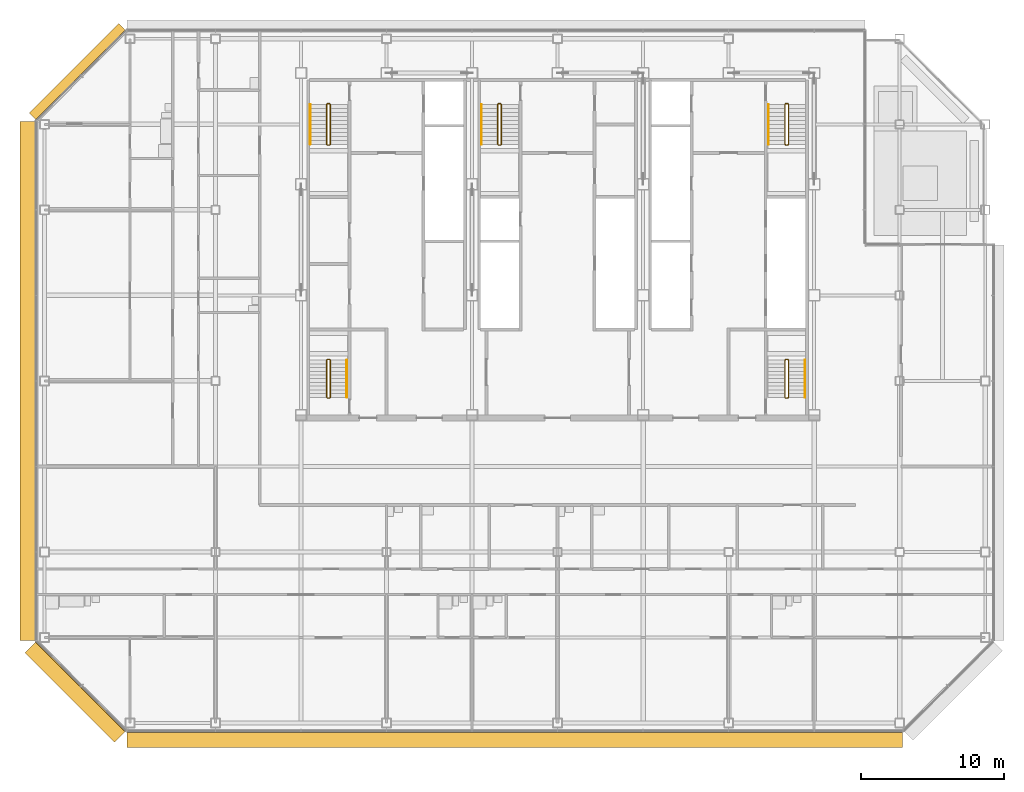
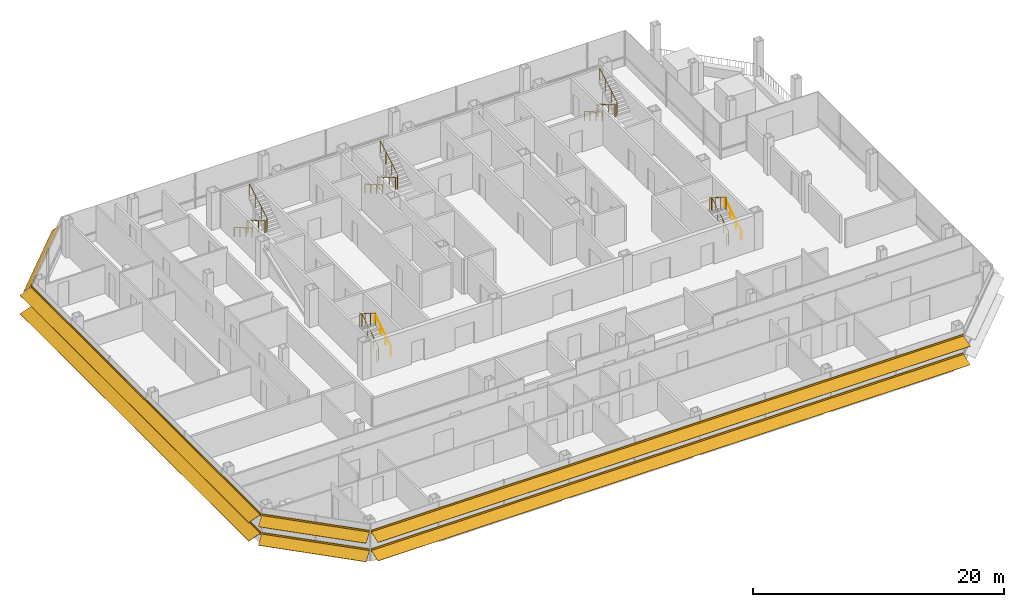
# One storey, part 26 of 29: 10 railings, 4 shading devices.
"""IFC4 building model written with IfcOpenShell, lengths in metres."""

from ifc_helpers import new_model, si_unit, direction, frame, origin, origin_2d, place, context, subcontext, project, spatial, polyline, circle, outline, composite_profile, extrude, material, type_object, element, save


model = new_model("IFC4")

# Units and contexts
model_context = context("Model", 3, precision=1e-05, world=origin(), true_north=direction((0.0, 1.0)))
body_context = subcontext(model_context, "Body", "Model", "MODEL_VIEW")
ifc_project = project(units=[si_unit("LENGTHUNIT", "METRE"), si_unit("AREAUNIT", "SQUARE_METRE"), si_unit("VOLUMEUNIT", "CUBIC_METRE"), si_unit("PLANEANGLEUNIT", "RADIAN"), si_unit("MASSUNIT", "GRAM", prefix="KILO")], contexts=[model_context])

# Site, building, storey
site_placement = place(None, origin())
site = spatial("IfcSite", under=ifc_project, at=site_placement, CompositionType="ELEMENT")
building_placement = place(site_placement, origin())
building = spatial("IfcBuilding", under=site, at=building_placement, Name="Sorahane Residences", CompositionType="ELEMENT")
storey_placement = place(building_placement, frame((0.0, 0.0, 199.199951171875)))
storey = spatial("IfcBuildingStorey", under=building, at=storey_placement, Name="L46", CompositionType="ELEMENT", Elevation=199.199951171875)

# Shading devices
ifc_material_1 = material(Name="Terracotta anodised aluminium", Category="masonry")
shading_device_type_1 = type_object("IfcShadingDeviceType", Name="Louvre sunshade blade NW terracotta aluminium 700", PredefinedType="JALOUSIE", material=ifc_material_1)
shading_device_1_placement = place(storey_placement, frame((-6.283935546875, 48.564697265625, 2.699951171875), z_axis=(-0.707106781187, -0.707106781187, 0.0), x_axis=(0.707106781187, -0.707106781187, 0.0)))
element("IfcShadingDevice", 1, at=shading_device_1_placement, inside=storey, type_object=shading_device_type_1, Name="Louvre sunshade blade bank NW L46 NW1", PredefinedType="JALOUSIE", context=body_context, shape_type="SweptSolid", body=[
    extrude(outline(polyline([(-0.719970703125, -0.660888671875), (-0.719970703125, -0.69091796875), (-0.080078125, -0.072998046875), (-0.080078125, -0.14990234375), (-0.02001953125, -0.14990234375), (-0.02001953125, -0.014892578125), (-0.02001953125, 0.014892578125), (-0.02001953125, 0.14990234375), (-0.080078125, 0.14990234375), (-0.080078125, -0.04296875), (-0.719970703125, -0.660888671875)])), origin(), (0.0, 0.0, 1.0), 8.88232421875),
])
ifc_material_2 = material(Name="Terracotta anodised aluminium", Category="masonry")
shading_device_type_2 = type_object("IfcShadingDeviceType", Name="Louvre sunshade blade S terracotta aluminium 1100", PredefinedType="JALOUSIE", material=ifc_material_2)
shading_device_2_placement = place(storey_placement, frame((-6.198486328125, -0.60009765625, 0.900146484375), z_axis=(1.0, 0.0, 0.0), x_axis=(0.0, 1.0, 0.0)))
element("IfcShadingDevice", 2, at=shading_device_2_placement, inside=storey, type_object=shading_device_type_2, Name="Louvre sunshade blade bank S L46 S1", PredefinedType="JALOUSIE", context=body_context, shape_type="SweptSolid", body=[
    extrude(composite_profile([outline(polyline([(-1.1201171875, -0.385498046875), (-1.1201171875, -0.415283203125), (-0.080078125, -0.036865234375), (-0.080078125, -0.14990234375), (-0.02001953125, -0.14990234375), (-0.02001953125, -0.014892578125), (-0.02001953125, 0.014892578125), (-0.02001953125, 0.14990234375), (-0.080078125, 0.14990234375), (-0.080078125, -0.0068359375), (-1.1201171875, -0.385498046875)])), outline(polyline([(-1.1201171875, 1.41455078125), (-1.1201171875, 1.384521484375), (-0.080078125, 1.76318359375), (-0.080078125, 1.64990234375), (-0.02001953125, 1.64990234375), (-0.02001953125, 1.784912109375), (-0.02001953125, 1.81494140625), (-0.02001953125, 1.949951171875), (-0.080078125, 1.949951171875), (-0.080078125, 1.793212890625), (-1.1201171875, 1.41455078125)]))]), origin(), (0.0, 0.0, 1.0), 54.39697265625),
])
ifc_material_3 = material(Name="Terracotta anodised aluminium", Category="masonry")
shading_device_type_3 = type_object("IfcShadingDeviceType", Name="Louvre sunshade blade SW terracotta aluminium 1100", PredefinedType="JALOUSIE", material=ifc_material_3)
shading_device_3_placement = place(storey_placement, frame((-12.564697265625, 5.716064453125, 0.900146484375), z_axis=(0.707106781187, -0.707106781187, 0.0), x_axis=(0.707106781187, 0.707106781187, 0.0)))
element("IfcShadingDevice", 3, at=shading_device_3_placement, inside=storey, type_object=shading_device_type_3, Name="Louvre sunshade blade bank SW L46 SW1", PredefinedType="JALOUSIE", context=body_context, shape_type="SweptSolid", body=[
    extrude(composite_profile([outline(polyline([(-1.1201171875, -0.385498046875), (-1.1201171875, -0.415283203125), (-0.080078125, -0.036865234375), (-0.080078125, -0.14990234375), (-0.02001953125, -0.14990234375), (-0.02001953125, -0.014892578125), (-0.02001953125, 0.014892578125), (-0.02001953125, 0.14990234375), (-0.080078125, 0.14990234375), (-0.080078125, -0.0068359375), (-1.1201171875, -0.385498046875)])), outline(polyline([(-1.1201171875, 1.41455078125), (-1.1201171875, 1.384521484375), (-0.080078125, 1.76318359375), (-0.080078125, 1.64990234375), (-0.02001953125, 1.64990234375), (-0.02001953125, 1.784912109375), (-0.02001953125, 1.81494140625), (-0.02001953125, 1.949951171875), (-0.080078125, 1.949951171875), (-0.080078125, 1.793212890625), (-1.1201171875, 1.41455078125)]))]), origin(), (0.0, 0.0, 1.0), 8.88232421875),
])
ifc_material_4 = material(Name="Terracotta anodised aluminium", Category="masonry")
shading_device_type_4 = type_object("IfcShadingDeviceType", Name="Louvre sunshade blade W terracotta aluminium 1100", PredefinedType="JALOUSIE", material=ifc_material_4)
shading_device_4_placement = place(storey_placement, frame((-12.60009765625, 42.198486328125, 0.900146484375), z_axis=(0.0, -1.0, 0.0), x_axis=(1.0, 0.0, 0.0)))
element("IfcShadingDevice", 4, at=shading_device_4_placement, inside=storey, type_object=shading_device_type_4, Name="Louvre sunshade blade bank W L46 W1", PredefinedType="JALOUSIE", context=body_context, shape_type="SweptSolid", body=[
    extrude(composite_profile([outline(polyline([(-1.1201171875, -0.385498046875), (-1.1201171875, -0.415283203125), (-0.080078125, -0.036865234375), (-0.080078125, -0.14990234375), (-0.02001953125, -0.14990234375), (-0.02001953125, -0.014892578125), (-0.02001953125, 0.014892578125), (-0.02001953125, 0.14990234375), (-0.080078125, 0.14990234375), (-0.080078125, -0.0068359375), (-1.1201171875, -0.385498046875)])), outline(polyline([(-1.1201171875, 1.41455078125), (-1.1201171875, 1.384521484375), (-0.080078125, 1.76318359375), (-0.080078125, 1.64990234375), (-0.02001953125, 1.64990234375), (-0.02001953125, 1.784912109375), (-0.02001953125, 1.81494140625), (-0.02001953125, 1.949951171875), (-0.080078125, 1.949951171875), (-0.080078125, 1.793212890625), (-1.1201171875, 1.41455078125)]))]), origin(), (0.0, 0.0, 1.0), 36.39697265625),
])

# Railings
ifc_material_5 = material(Name="Steel Q355B", Category="steel")
railing_type_1 = type_object("IfcRailingType", Name="Stair guard 1200 Steel Q355B", PredefinedType="GUARDRAIL", material=ifc_material_5)
railing_1_placement = place(storey_placement, frame((8.0, 43.449951171875, 0.0)))
element("IfcRailing", 5, at=railing_1_placement, inside=storey, type_object=railing_type_1, Name="L46 S1 stair guard 1", PredefinedType="GUARDRAIL", context=body_context, shape_type="SweptSolid", body=[
    extrude(circle(Radius=0.02392578125, at=origin_2d()), frame((0.0, 0.0, 1.17578125), z_axis=(-1.0, 0.0, 0.0), x_axis=(0.0, -1.0, 0.0)), (0.0, 0.0, 1.0), 0.14990234375),
    extrude(circle(Radius=0.02392578125, at=origin_2d()), frame((-0.14990234375, 0.0, 1.17578125), z_axis=(-0.280808744504, -0.280808744504, 0.917765164963), x_axis=(0.707106781187, -0.707106781187, 0.0)), (0.0, 0.0, 1.0), 0.17822265625),
    extrude(circle(Radius=0.02392578125, at=origin_2d()), frame((-0.199951171875, -0.050048828125, 1.33935546875), z_axis=(0.0, -0.863341702679, 0.504619762213), x_axis=(1.0, 0.0, 0.0)), (0.0, 0.0, 1.0), 3.242919921875),
    extrude(circle(Radius=0.02392578125, at=origin_2d()), frame((-0.199951171875, -2.849853515625, 2.97607421875), z_axis=(0.707106781187, -0.707106781187, 0.0), x_axis=(0.707106781187, 0.707106781187, 0.0)), (0.0, 0.0, 1.0), 0.07080078125),
    extrude(circle(Radius=0.02392578125, at=origin_2d()), frame((-0.14990234375, -2.89990234375, 2.97607421875), z_axis=(1.0, 0.0, 0.0), x_axis=(0.0, 1.0, 0.0)), (0.0, 0.0, 1.0), 0.14990234375),
    extrude(circle(Radius=0.02392578125, at=origin_2d()), frame((0.0, -2.89990234375, 2.97607421875), z_axis=(0.280808744504, 0.280808744504, 0.917765164963), x_axis=(-0.707106781187, 0.707106781187, 0.0)), (0.0, 0.0, 1.0), 0.17822265625),
    extrude(circle(Radius=0.02392578125, at=origin_2d()), frame((0.050048828125, -2.849853515625, 3.1396484375), z_axis=(0.0, 0.863341702679, 0.504619762213), x_axis=(-1.0, 0.0, 0.0)), (0.0, 0.0, 1.0), 3.242919921875),
    extrude(circle(Radius=0.02099609375, at=origin_2d()), origin(), (0.0, 0.0, 1.0), 1.15185546875),
    extrude(circle(Radius=0.02099609375, at=origin_2d()), frame((-0.14990234375, 0.0, 0.0)), (0.0, 0.0, 1.0), 1.15185546875),
    extrude(circle(Radius=0.02099609375, at=origin_2d()), frame((-0.199951171875, -0.050048828125, 0.16357421875)), (0.0, 0.0, 1.0), 1.15185546875),
    extrude(circle(Radius=0.02099609375, at=origin_2d()), frame((-0.199951171875, -0.9833984375, 0.708984375)), (0.0, 0.0, 1.0), 1.15185546875),
    extrude(circle(Radius=0.02099609375, at=origin_2d()), frame((-0.199951171875, -1.91650390625, 1.254638671875)), (0.0, 0.0, 1.0), 1.15185546875),
    extrude(circle(Radius=0.02099609375, at=origin_2d()), frame((-0.199951171875, -2.849853515625, 1.800048828125)), (0.0, 0.0, 1.0), 1.15185546875),
    extrude(circle(Radius=0.02099609375, at=origin_2d()), frame((-0.14990234375, -2.89990234375, 1.800048828125)), (0.0, 0.0, 1.0), 1.15185546875),
    extrude(circle(Radius=0.02099609375, at=origin_2d()), frame((0.0, -2.89990234375, 1.800048828125)), (0.0, 0.0, 1.0), 1.15185546875),
    extrude(circle(Radius=0.02099609375, at=origin_2d()), frame((0.050048828125, -2.849853515625, 1.963623046875)), (0.0, 0.0, 1.0), 1.15185546875),
    extrude(circle(Radius=0.02099609375, at=origin_2d()), frame((0.050048828125, -1.91650390625, 2.509033203125)), (0.0, 0.0, 1.0), 1.15185546875),
    extrude(circle(Radius=0.02099609375, at=origin_2d()), frame((0.050048828125, -0.9833984375, 3.0546875)), (0.0, 0.0, 1.0), 1.15185546875),
    extrude(circle(Radius=0.02099609375, at=origin_2d()), frame((0.050048828125, -0.050048828125, 3.60009765625)), (0.0, 0.0, 1.0), 1.15185546875),
])
railing_2_placement = place(storey_placement, frame((40.14990234375, 43.449951171875, 0.0)))
element("IfcRailing", 6, at=railing_2_placement, inside=storey, type_object=railing_type_1, Name="L46 S2 stair guard 1", PredefinedType="GUARDRAIL", context=body_context, shape_type="SweptSolid", body=[
    extrude(circle(Radius=0.02392578125, at=origin_2d()), frame((0.0, 0.0, 1.17578125), z_axis=(-1.0, 0.0, 0.0), x_axis=(0.0, -1.0, 0.0)), (0.0, 0.0, 1.0), 0.14990234375),
    extrude(circle(Radius=0.02392578125, at=origin_2d()), frame((-0.14990234375, 0.0, 1.17578125), z_axis=(-0.280808744504, -0.280808744504, 0.917765164963), x_axis=(0.707106781187, -0.707106781187, 0.0)), (0.0, 0.0, 1.0), 0.17822265625),
    extrude(circle(Radius=0.02392578125, at=origin_2d()), frame((-0.199951171875, -0.050048828125, 1.33935546875), z_axis=(0.0, -0.863341702679, 0.504619762213), x_axis=(1.0, 0.0, 0.0)), (0.0, 0.0, 1.0), 3.242919921875),
    extrude(circle(Radius=0.02392578125, at=origin_2d()), frame((-0.199951171875, -2.849853515625, 2.97607421875), z_axis=(0.707106781187, -0.707106781187, 0.0), x_axis=(0.707106781187, 0.707106781187, 0.0)), (0.0, 0.0, 1.0), 0.07080078125),
    extrude(circle(Radius=0.02392578125, at=origin_2d()), frame((-0.14990234375, -2.89990234375, 2.97607421875), z_axis=(1.0, 0.0, 0.0), x_axis=(0.0, 1.0, 0.0)), (0.0, 0.0, 1.0), 0.14990234375),
    extrude(circle(Radius=0.02392578125, at=origin_2d()), frame((0.0, -2.89990234375, 2.97607421875), z_axis=(0.280808744504, 0.280808744504, 0.917765164963), x_axis=(-0.707106781187, 0.707106781187, 0.0)), (0.0, 0.0, 1.0), 0.17822265625),
    extrude(circle(Radius=0.02392578125, at=origin_2d()), frame((0.050048828125, -2.849853515625, 3.1396484375), z_axis=(0.0, 0.863341702679, 0.504619762213), x_axis=(-1.0, 0.0, 0.0)), (0.0, 0.0, 1.0), 3.242919921875),
    extrude(circle(Radius=0.02099609375, at=origin_2d()), origin(), (0.0, 0.0, 1.0), 1.15185546875),
    extrude(circle(Radius=0.02099609375, at=origin_2d()), frame((-0.14990234375, 0.0, 0.0)), (0.0, 0.0, 1.0), 1.15185546875),
    extrude(circle(Radius=0.02099609375, at=origin_2d()), frame((-0.199951171875, -0.050048828125, 0.16357421875)), (0.0, 0.0, 1.0), 1.15185546875),
    extrude(circle(Radius=0.02099609375, at=origin_2d()), frame((-0.199951171875, -0.9833984375, 0.708984375)), (0.0, 0.0, 1.0), 1.15185546875),
    extrude(circle(Radius=0.02099609375, at=origin_2d()), frame((-0.199951171875, -1.91650390625, 1.254638671875)), (0.0, 0.0, 1.0), 1.15185546875),
    extrude(circle(Radius=0.02099609375, at=origin_2d()), frame((-0.199951171875, -2.849853515625, 1.800048828125)), (0.0, 0.0, 1.0), 1.15185546875),
    extrude(circle(Radius=0.02099609375, at=origin_2d()), frame((-0.14990234375, -2.89990234375, 1.800048828125)), (0.0, 0.0, 1.0), 1.15185546875),
    extrude(circle(Radius=0.02099609375, at=origin_2d()), frame((0.0, -2.89990234375, 1.800048828125)), (0.0, 0.0, 1.0), 1.15185546875),
    extrude(circle(Radius=0.02099609375, at=origin_2d()), frame((0.050048828125, -2.849853515625, 1.963623046875)), (0.0, 0.0, 1.0), 1.15185546875),
    extrude(circle(Radius=0.02099609375, at=origin_2d()), frame((0.050048828125, -1.91650390625, 2.509033203125)), (0.0, 0.0, 1.0), 1.15185546875),
    extrude(circle(Radius=0.02099609375, at=origin_2d()), frame((0.050048828125, -0.9833984375, 3.0546875)), (0.0, 0.0, 1.0), 1.15185546875),
    extrude(circle(Radius=0.02099609375, at=origin_2d()), frame((0.050048828125, -0.050048828125, 3.60009765625)), (0.0, 0.0, 1.0), 1.15185546875),
])
railing_3_placement = place(storey_placement, frame((20.0, 43.449951171875, 0.0)))
element("IfcRailing", 7, at=railing_3_placement, inside=storey, type_object=railing_type_1, Name="L46 S3 stair guard 1", PredefinedType="GUARDRAIL", context=body_context, shape_type="SweptSolid", body=[
    extrude(circle(Radius=0.02392578125, at=origin_2d()), frame((0.0, 0.0, 1.17578125), z_axis=(-1.0, 0.0, 0.0), x_axis=(0.0, -1.0, 0.0)), (0.0, 0.0, 1.0), 0.14990234375),
    extrude(circle(Radius=0.02392578125, at=origin_2d()), frame((-0.14990234375, 0.0, 1.17578125), z_axis=(-0.280808744504, -0.280808744504, 0.917765164963), x_axis=(0.707106781187, -0.707106781187, 0.0)), (0.0, 0.0, 1.0), 0.17822265625),
    extrude(circle(Radius=0.02392578125, at=origin_2d()), frame((-0.199951171875, -0.050048828125, 1.33935546875), z_axis=(0.0, -0.863341702679, 0.504619762213), x_axis=(1.0, 0.0, 0.0)), (0.0, 0.0, 1.0), 3.242919921875),
    extrude(circle(Radius=0.02392578125, at=origin_2d()), frame((-0.199951171875, -2.849853515625, 2.97607421875), z_axis=(0.707106781187, -0.707106781187, 0.0), x_axis=(0.707106781187, 0.707106781187, 0.0)), (0.0, 0.0, 1.0), 0.07080078125),
    extrude(circle(Radius=0.02392578125, at=origin_2d()), frame((-0.14990234375, -2.89990234375, 2.97607421875), z_axis=(1.0, 0.0, 0.0), x_axis=(0.0, 1.0, 0.0)), (0.0, 0.0, 1.0), 0.14990234375),
    extrude(circle(Radius=0.02392578125, at=origin_2d()), frame((0.0, -2.89990234375, 2.97607421875), z_axis=(0.280808744504, 0.280808744504, 0.917765164963), x_axis=(-0.707106781187, 0.707106781187, 0.0)), (0.0, 0.0, 1.0), 0.17822265625),
    extrude(circle(Radius=0.02392578125, at=origin_2d()), frame((0.050048828125, -2.849853515625, 3.1396484375), z_axis=(0.0, 0.863341702679, 0.504619762213), x_axis=(-1.0, 0.0, 0.0)), (0.0, 0.0, 1.0), 3.242919921875),
    extrude(circle(Radius=0.02099609375, at=origin_2d()), origin(), (0.0, 0.0, 1.0), 1.15185546875),
    extrude(circle(Radius=0.02099609375, at=origin_2d()), frame((-0.14990234375, 0.0, 0.0)), (0.0, 0.0, 1.0), 1.15185546875),
    extrude(circle(Radius=0.02099609375, at=origin_2d()), frame((-0.199951171875, -0.050048828125, 0.16357421875)), (0.0, 0.0, 1.0), 1.15185546875),
    extrude(circle(Radius=0.02099609375, at=origin_2d()), frame((-0.199951171875, -0.9833984375, 0.708984375)), (0.0, 0.0, 1.0), 1.15185546875),
    extrude(circle(Radius=0.02099609375, at=origin_2d()), frame((-0.199951171875, -1.91650390625, 1.254638671875)), (0.0, 0.0, 1.0), 1.15185546875),
    extrude(circle(Radius=0.02099609375, at=origin_2d()), frame((-0.199951171875, -2.849853515625, 1.800048828125)), (0.0, 0.0, 1.0), 1.15185546875),
    extrude(circle(Radius=0.02099609375, at=origin_2d()), frame((-0.14990234375, -2.89990234375, 1.800048828125)), (0.0, 0.0, 1.0), 1.15185546875),
    extrude(circle(Radius=0.02099609375, at=origin_2d()), frame((0.0, -2.89990234375, 1.800048828125)), (0.0, 0.0, 1.0), 1.15185546875),
    extrude(circle(Radius=0.02099609375, at=origin_2d()), frame((0.050048828125, -2.849853515625, 1.963623046875)), (0.0, 0.0, 1.0), 1.15185546875),
    extrude(circle(Radius=0.02099609375, at=origin_2d()), frame((0.050048828125, -1.91650390625, 2.509033203125)), (0.0, 0.0, 1.0), 1.15185546875),
    extrude(circle(Radius=0.02099609375, at=origin_2d()), frame((0.050048828125, -0.9833984375, 3.0546875)), (0.0, 0.0, 1.0), 1.15185546875),
    extrude(circle(Radius=0.02099609375, at=origin_2d()), frame((0.050048828125, -0.050048828125, 3.60009765625)), (0.0, 0.0, 1.0), 1.15185546875),
])
railing_4_placement = place(storey_placement, frame((7.85009765625, 22.800048828125, 0.0)))
element("IfcRailing", 8, at=railing_4_placement, inside=storey, type_object=railing_type_1, Name="L46 S4 stair guard 1", PredefinedType="GUARDRAIL", context=body_context, shape_type="SweptSolid", body=[
    extrude(circle(Radius=0.02392578125, at=origin_2d()), frame((0.0, 0.0, 1.17578125), z_axis=(1.0, 0.0, 0.0), x_axis=(0.0, 1.0, 0.0)), (0.0, 0.0, 1.0), 0.14990234375),
    extrude(circle(Radius=0.02392578125, at=origin_2d()), frame((0.14990234375, 0.0, 1.17578125), z_axis=(0.280808744504, 0.280808744504, 0.917765164963), x_axis=(-0.707106781187, 0.707106781187, 0.0)), (0.0, 0.0, 1.0), 0.17822265625),
    extrude(circle(Radius=0.02392578125, at=origin_2d()), frame((0.199951171875, 0.050048828125, 1.33935546875), z_axis=(0.0, 0.846301844409, 0.532703658848), x_axis=(-1.0, 0.0, 0.0)), (0.0, 0.0, 1.0), 3.072021484375),
    extrude(circle(Radius=0.02392578125, at=origin_2d()), frame((0.199951171875, 2.64990234375, 2.97607421875), z_axis=(-0.707106781187, 0.707106781187, 0.0), x_axis=(-0.707106781187, -0.707106781187, 0.0)), (0.0, 0.0, 1.0), 0.07080078125),
    extrude(circle(Radius=0.02392578125, at=origin_2d()), frame((0.14990234375, 2.699951171875, 2.97607421875), z_axis=(-1.0, 0.0, 0.0), x_axis=(0.0, -1.0, 0.0)), (0.0, 0.0, 1.0), 0.14990234375),
    extrude(circle(Radius=0.02392578125, at=origin_2d()), frame((0.0, 2.699951171875, 2.97607421875), z_axis=(-0.280808744504, -0.280808744504, 0.917765164963), x_axis=(0.707106781187, -0.707106781187, 0.0)), (0.0, 0.0, 1.0), 0.17822265625),
    extrude(circle(Radius=0.02392578125, at=origin_2d()), frame((-0.050048828125, 2.64990234375, 3.1396484375), z_axis=(0.0, -0.846301844409, 0.532703658848), x_axis=(1.0, 0.0, 0.0)), (0.0, 0.0, 1.0), 3.072021484375),
    extrude(circle(Radius=0.02099609375, at=origin_2d()), origin(), (0.0, 0.0, 1.0), 1.15185546875),
    extrude(circle(Radius=0.02099609375, at=origin_2d()), frame((0.14990234375, 0.0, 0.0)), (0.0, 0.0, 1.0), 1.15185546875),
    extrude(circle(Radius=0.02099609375, at=origin_2d()), frame((0.199951171875, 0.050048828125, 0.16357421875)), (0.0, 0.0, 1.0), 1.15185546875),
    extrude(circle(Radius=0.02099609375, at=origin_2d()), frame((0.199951171875, 0.916748046875, 0.708984375)), (0.0, 0.0, 1.0), 1.15185546875),
    extrude(circle(Radius=0.02099609375, at=origin_2d()), frame((0.199951171875, 1.783203125, 1.254638671875)), (0.0, 0.0, 1.0), 1.15185546875),
    extrude(circle(Radius=0.02099609375, at=origin_2d()), frame((0.199951171875, 2.64990234375, 1.800048828125)), (0.0, 0.0, 1.0), 1.15185546875),
    extrude(circle(Radius=0.02099609375, at=origin_2d()), frame((0.14990234375, 2.699951171875, 1.800048828125)), (0.0, 0.0, 1.0), 1.15185546875),
    extrude(circle(Radius=0.02099609375, at=origin_2d()), frame((0.0, 2.699951171875, 1.800048828125)), (0.0, 0.0, 1.0), 1.15185546875),
    extrude(circle(Radius=0.02099609375, at=origin_2d()), frame((-0.050048828125, 2.64990234375, 1.963623046875)), (0.0, 0.0, 1.0), 1.15185546875),
    extrude(circle(Radius=0.02099609375, at=origin_2d()), frame((-0.050048828125, 1.783203125, 2.509033203125)), (0.0, 0.0, 1.0), 1.15185546875),
    extrude(circle(Radius=0.02099609375, at=origin_2d()), frame((-0.050048828125, 0.916748046875, 3.0546875)), (0.0, 0.0, 1.0), 1.15185546875),
    extrude(circle(Radius=0.02099609375, at=origin_2d()), frame((-0.050048828125, 0.050048828125, 3.60009765625)), (0.0, 0.0, 1.0), 1.15185546875),
])
railing_5_placement = place(storey_placement, frame((40.0, 22.800048828125, 0.0)))
element("IfcRailing", 9, at=railing_5_placement, inside=storey, type_object=railing_type_1, Name="L46 S5 stair guard 1", PredefinedType="GUARDRAIL", context=body_context, shape_type="SweptSolid", body=[
    extrude(circle(Radius=0.02392578125, at=origin_2d()), frame((0.0, 0.0, 1.17578125), z_axis=(1.0, 0.0, 0.0), x_axis=(0.0, 1.0, 0.0)), (0.0, 0.0, 1.0), 0.14990234375),
    extrude(circle(Radius=0.02392578125, at=origin_2d()), frame((0.14990234375, 0.0, 1.17578125), z_axis=(0.280808744504, 0.280808744504, 0.917765164963), x_axis=(-0.707106781187, 0.707106781187, 0.0)), (0.0, 0.0, 1.0), 0.17822265625),
    extrude(circle(Radius=0.02392578125, at=origin_2d()), frame((0.199951171875, 0.050048828125, 1.33935546875), z_axis=(0.0, 0.846301844409, 0.532703658848), x_axis=(-1.0, 0.0, 0.0)), (0.0, 0.0, 1.0), 3.072021484375),
    extrude(circle(Radius=0.02392578125, at=origin_2d()), frame((0.199951171875, 2.64990234375, 2.97607421875), z_axis=(-0.707106781187, 0.707106781187, 0.0), x_axis=(-0.707106781187, -0.707106781187, 0.0)), (0.0, 0.0, 1.0), 0.07080078125),
    extrude(circle(Radius=0.02392578125, at=origin_2d()), frame((0.14990234375, 2.699951171875, 2.97607421875), z_axis=(-1.0, 0.0, 0.0), x_axis=(0.0, -1.0, 0.0)), (0.0, 0.0, 1.0), 0.14990234375),
    extrude(circle(Radius=0.02392578125, at=origin_2d()), frame((0.0, 2.699951171875, 2.97607421875), z_axis=(-0.280808744504, -0.280808744504, 0.917765164963), x_axis=(0.707106781187, -0.707106781187, 0.0)), (0.0, 0.0, 1.0), 0.17822265625),
    extrude(circle(Radius=0.02392578125, at=origin_2d()), frame((-0.050048828125, 2.64990234375, 3.1396484375), z_axis=(0.0, -0.846301844409, 0.532703658848), x_axis=(1.0, 0.0, 0.0)), (0.0, 0.0, 1.0), 3.072021484375),
    extrude(circle(Radius=0.02099609375, at=origin_2d()), origin(), (0.0, 0.0, 1.0), 1.15185546875),
    extrude(circle(Radius=0.02099609375, at=origin_2d()), frame((0.14990234375, 0.0, 0.0)), (0.0, 0.0, 1.0), 1.15185546875),
    extrude(circle(Radius=0.02099609375, at=origin_2d()), frame((0.199951171875, 0.050048828125, 0.16357421875)), (0.0, 0.0, 1.0), 1.15185546875),
    extrude(circle(Radius=0.02099609375, at=origin_2d()), frame((0.199951171875, 0.916748046875, 0.708984375)), (0.0, 0.0, 1.0), 1.15185546875),
    extrude(circle(Radius=0.02099609375, at=origin_2d()), frame((0.199951171875, 1.783203125, 1.254638671875)), (0.0, 0.0, 1.0), 1.15185546875),
    extrude(circle(Radius=0.02099609375, at=origin_2d()), frame((0.199951171875, 2.64990234375, 1.800048828125)), (0.0, 0.0, 1.0), 1.15185546875),
    extrude(circle(Radius=0.02099609375, at=origin_2d()), frame((0.14990234375, 2.699951171875, 1.800048828125)), (0.0, 0.0, 1.0), 1.15185546875),
    extrude(circle(Radius=0.02099609375, at=origin_2d()), frame((0.0, 2.699951171875, 1.800048828125)), (0.0, 0.0, 1.0), 1.15185546875),
    extrude(circle(Radius=0.02099609375, at=origin_2d()), frame((-0.050048828125, 2.64990234375, 1.963623046875)), (0.0, 0.0, 1.0), 1.15185546875),
    extrude(circle(Radius=0.02099609375, at=origin_2d()), frame((-0.050048828125, 1.783203125, 2.509033203125)), (0.0, 0.0, 1.0), 1.15185546875),
    extrude(circle(Radius=0.02099609375, at=origin_2d()), frame((-0.050048828125, 0.916748046875, 3.0546875)), (0.0, 0.0, 1.0), 1.15185546875),
    extrude(circle(Radius=0.02099609375, at=origin_2d()), frame((-0.050048828125, 0.050048828125, 3.60009765625)), (0.0, 0.0, 1.0), 1.15185546875),
])
ifc_material_6 = material(Name="Steel Q355B", Category="steel")
railing_type_2 = type_object("IfcRailingType", Name="Stair handrail 900 Steel Q355B", PredefinedType="HANDRAIL", material=ifc_material_6)
for number, where, name in (
    (10, (6.64990234375, 43.39990234375, 0.16357421875), "L46 S1 stair handrail 1"),
    (11, (38.800048828125, 43.39990234375, 0.16357421875), "L46 S2 stair handrail 1"),
    (12, (18.64990234375, 43.39990234375, 0.16357421875), "L46 S3 stair handrail 1"),
):
    element("IfcRailing", number, at=place(storey_placement, frame(where)), inside=storey, type_object=railing_type_2, Name=name, PredefinedType="HANDRAIL", context=body_context, shape_type="SweptSolid", body=[
        extrude(circle(Radius=0.02392578125, at=origin_2d()), frame((0.0, 0.0, 0.8759765625), z_axis=(0.0, -0.863341702679, 0.504619762213), x_axis=(1.0, 0.0, 0.0)), (0.0, 0.0, 1.0), 3.242919921875),
        extrude(circle(Radius=0.02099609375, at=origin_2d()), origin(), (0.0, 0.0, 1.0), 0.851806640625),
        extrude(circle(Radius=0.02099609375, at=origin_2d()), frame((0.0, -0.933349609375, 0.54541015625)), (0.0, 0.0, 1.0), 0.851806640625),
        extrude(circle(Radius=0.02099609375, at=origin_2d()), frame((0.0, -1.866455078125, 1.091064453125)), (0.0, 0.0, 1.0), 0.851806640625),
        extrude(circle(Radius=0.02099609375, at=origin_2d()), frame((0.0, -2.7998046875, 1.636474609375)), (0.0, 0.0, 1.0), 0.851806640625),
    ])
for number, where, name in (
    (13, (9.199951171875, 22.85009765625, 0.16357421875), "L46 S4 stair handrail 1"),
    (14, (41.35009765625, 22.85009765625, 0.16357421875), "L46 S5 stair handrail 1"),
):
    element("IfcRailing", number, at=place(storey_placement, frame(where)), inside=storey, type_object=railing_type_2, Name=name, PredefinedType="HANDRAIL", context=body_context, shape_type="SweptSolid", body=[
        extrude(circle(Radius=0.02392578125, at=origin_2d()), frame((0.0, 0.0, 0.8759765625), z_axis=(0.0, 0.846301844409, 0.532703658848), x_axis=(-1.0, 0.0, 0.0)), (0.0, 0.0, 1.0), 3.072021484375),
        extrude(circle(Radius=0.02099609375, at=origin_2d()), origin(), (0.0, 0.0, 1.0), 0.851806640625),
        extrude(circle(Radius=0.02099609375, at=origin_2d()), frame((0.0, 0.86669921875, 0.54541015625)), (0.0, 0.0, 1.0), 0.851806640625),
        extrude(circle(Radius=0.02099609375, at=origin_2d()), frame((0.0, 1.733154296875, 1.091064453125)), (0.0, 0.0, 1.0), 0.851806640625),
        extrude(circle(Radius=0.02099609375, at=origin_2d()), frame((0.0, 2.599853515625, 1.636474609375)), (0.0, 0.0, 1.0), 0.851806640625),
    ])

save(model, "model.ifc")
